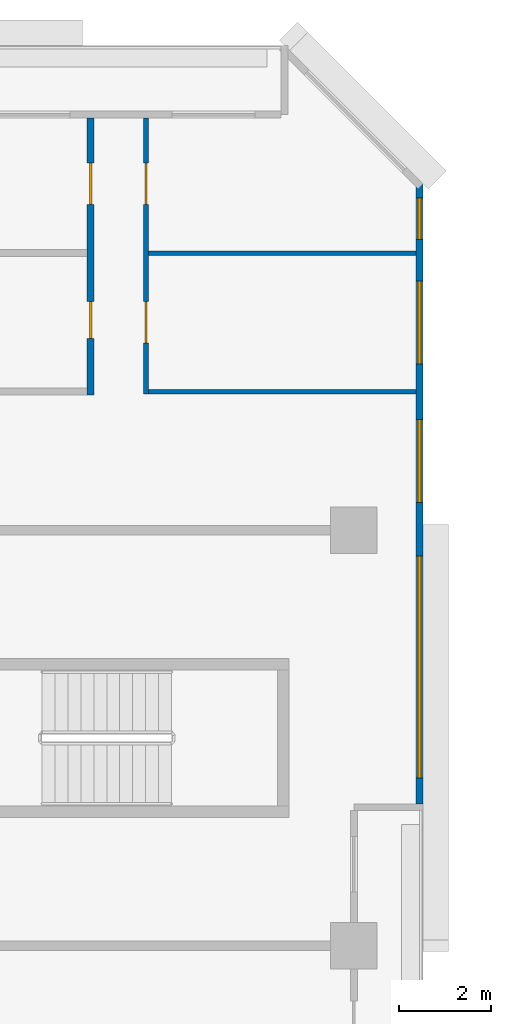
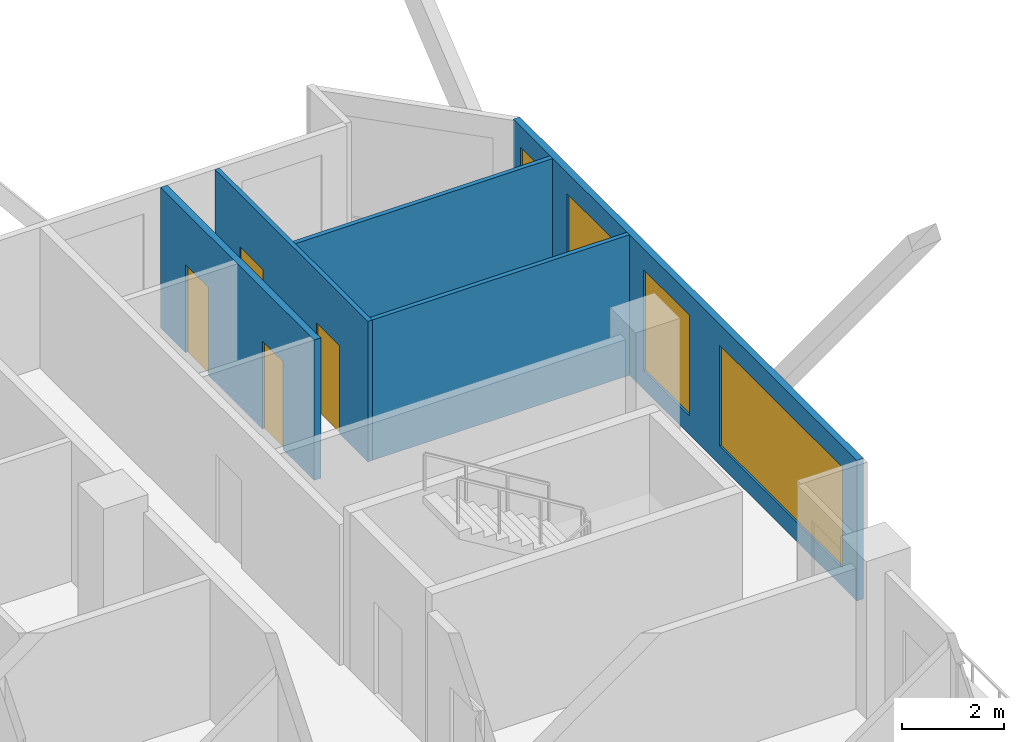
# One storey, part 11 of 15: 5 walls, 4 doors, 4 windows, 8 openings.
"""IFC4 building model written with IfcOpenShell, lengths in metres."""

import ifcopenshell
import ifcopenshell.guid

model = None  # the IFC model being written
_history = None  # IfcOwnerHistory: only IFC2X3 demands one
_inside = {}  # id of a spatial element -> (the spatial element, [elements in it])
_under = {}  # id of a project, library or spatial element -> (it, [spatial elements below it])
_declared = {}  # id of a project -> (the project, [libraries it declares])
_typed = {}  # id of a type object -> (the type object, [elements of that type])
_made_of = {}  # id of a material, layer set ... -> (it, [elements and type objects made of it])


def new_model(schema):
    """Start an empty IFC model of exactly this schema.

    Asked for "IFC4X3", IfcOpenShell would pick the latest addendum, in which some entities
    have other attributes; the version numbers below select the first issue.
    IFC2X3 requires an IfcOwnerHistory on every rooted entity: one is made here for all.
    """
    global model, _history
    if schema == "IFC4X3":
        model = ifcopenshell.file(schema_version=(4, 3, 0, 0))
    else:
        model = ifcopenshell.file(schema=schema)
    _inside.clear()
    _under.clear()
    _declared.clear()
    _typed.clear()
    _made_of.clear()
    _history = None
    if model.schema == "IFC2X3":
        org = make("IfcOrganization", Name="unknown")
        user = make(
            "IfcPersonAndOrganization",
            ThePerson=make("IfcPerson", FamilyName="unknown"),
            TheOrganization=org,
        )
        app = make(
            "IfcApplication",
            ApplicationDeveloper=org,
            Version="unknown",
            ApplicationFullName="unknown",
            ApplicationIdentifier="unknown",
        )
        _history = make(
            "IfcOwnerHistory",
            OwningUser=user,
            OwningApplication=app,
            ChangeAction="ADDED",
            CreationDate=0,
        )
    return model


def make(cls, **values):
    """One entity of the class cls with the attributes given. An attribute that is None is left unset."""
    return model.create_entity(
        cls, **{name: value for name, value in values.items() if value is not None}
    )


def rooted(cls, **values):
    """An entity with a GlobalId (a new one), such as an element, a storey or a relation."""
    return make(cls, GlobalId=ifcopenshell.guid.new(), OwnerHistory=_history, **values)


def si_unit(unit_type, name, prefix=None):
    """IfcSIUnit, for example si_unit("LENGTHUNIT", "METRE", prefix="MILLI")."""
    return make("IfcSIUnit", UnitType=unit_type, Prefix=prefix, Name=name)


def assignment(units):
    """IfcUnitAssignment: the units of a project."""
    return None if units is None else make("IfcUnitAssignment", Units=units)


def point(xyz):
    """IfcCartesianPoint."""
    return None if xyz is None else make("IfcCartesianPoint", Coordinates=xyz)


def direction(xyz):
    """IfcDirection."""
    return None if xyz is None else make("IfcDirection", DirectionRatios=xyz)


def frame(location, z_axis=None, x_axis=None):
    """IfcAxis2Placement3D, a coordinate frame: its origin and axes. An axis left out is left unset."""
    return make(
        "IfcAxis2Placement3D",
        Location=point(location),
        Axis=direction(z_axis),
        RefDirection=direction(x_axis),
    )


def frame_2d(location, x_axis=None):
    """IfcAxis2Placement2D, a coordinate frame in the plane: its origin and x axis."""
    return make(
        "IfcAxis2Placement2D", Location=point(location), RefDirection=direction(x_axis)
    )


def origin():
    """The frame at (0, 0, 0) with its axes left unset."""
    return frame((0.0, 0.0, 0.0))


def place(relative_to, where):
    """IfcLocalPlacement: puts the frame where relative to a parent placement (None: the world)."""
    return make(
        "IfcLocalPlacement", PlacementRelTo=relative_to, RelativePlacement=where
    )


def context(
    kind, dimensions, precision=None, world=None, true_north=None, identifier=None
):
    """IfcGeometricRepresentationContext, for example the 3D "Model" context."""
    return make(
        "IfcGeometricRepresentationContext",
        ContextIdentifier=identifier,
        ContextType=kind,
        CoordinateSpaceDimension=dimensions,
        Precision=precision,
        WorldCoordinateSystem=world,
        TrueNorth=true_north,
    )


def subcontext(parent, identifier, kind, view, scale=None):
    """IfcGeometricRepresentationSubContext, for example "Body" below "Model"."""
    return make(
        "IfcGeometricRepresentationSubContext",
        ContextIdentifier=identifier,
        ContextType=kind,
        ParentContext=parent,
        TargetScale=scale,
        TargetView=view,
    )


def project(units=None, contexts=None):
    """IfcProject with its units and contexts."""
    return rooted(
        "IfcProject",
        Name="project",
        RepresentationContexts=contexts,
        UnitsInContext=assignment(units),
    )


def spatial(cls, under=None, at=None, **own):
    """A site, building, storey or space (cls), placed at a placement, below another one or the project."""
    s = rooted(cls, ObjectPlacement=at, **own)
    if under is not None:
        _under.setdefault(under.id(), (under, []))[1].append(s)
    return s


def profile(cls, at=None, kind="AREA", **sizes):
    """A parametric profile (cls). Its sizes go by their IFC names, for example OverallWidth=200.0."""
    return make(cls, ProfileType=kind, Position=at, **sizes)


def rectangle(**sizes):
    """IfcRectangleProfileDef."""
    return profile("IfcRectangleProfileDef", **sizes)


def extrude(swept, where, along, depth):
    """IfcExtrudedAreaSolid: the profile swept, set in the frame where, extruded along a direction by depth."""
    return make(
        "IfcExtrudedAreaSolid",
        SweptArea=swept,
        Position=where,
        ExtrudedDirection=direction(along),
        Depth=depth,
    )


def shape(context_of_items, identifier, shape_type, items):
    """IfcShapeRepresentation: the items that make up one representation, for example the "Body"."""
    return make(
        "IfcShapeRepresentation",
        ContextOfItems=context_of_items,
        RepresentationIdentifier=identifier,
        RepresentationType=shape_type,
        Items=items,
    )


def material(Name=None, Category=None):
    """IfcMaterial."""
    return make("IfcMaterial", Name=Name, Category=Category)


def layer(
    of_material, thickness, ventilated=None, Name=None, Category=None, Priority=None
):
    """IfcMaterialLayer: one layer of a wall or slab, of a material (None: an air gap)."""
    return make(
        "IfcMaterialLayer",
        Material=of_material,
        LayerThickness=thickness,
        IsVentilated=ventilated,
        Name=Name,
        Category=Category,
        Priority=Priority,
    )


def layer_set(layers, Name=None):
    """IfcMaterialLayerSet."""
    return make("IfcMaterialLayerSet", MaterialLayers=layers, LayerSetName=Name)


def made_of(thing, what):
    """Note that an element or type object is made of a material, layer set ...; save() writes the relation."""
    if what is not None:
        _made_of.setdefault(what.id(), (what, []))[1].append(thing)
    return thing


def type_object(cls, material=None, **own):
    """A type object (cls), such as IfcWallType, which elements share."""
    return made_of(rooted(cls, **own), material)


def element(
    cls,
    number,
    at=None,
    inside=None,
    cuts=None,
    type_object=None,
    material=None,
    context=None,
    identifier="Body",
    shape_type=None,
    held_by="IfcProductDefinitionShape",
    body=None,
    shapes=None,
    **own,
):
    """One element of the class cls, such as IfcWall. Its Tag is "e" and its number.

    at: its placement. inside: the storey or other place that contains it. cuts: it is an
    opening in that element (IfcRelVoidsElement). A single representation is given by context,
    identifier, shape_type and body (its items); several are given by shapes. held_by: the class
    of the entity that holds the representations. save() writes the other relations.
    """
    e = rooted(cls, Tag="e%d" % number, ObjectPlacement=at, **own)
    if body is not None:
        shapes = [shape(context, identifier, shape_type, body)]
    if shapes is not None:
        e.Representation = make(held_by, Representations=shapes)
    if inside is not None:
        _inside.setdefault(inside.id(), (inside, []))[1].append(e)
    if cuts is not None:
        rooted(
            "IfcRelVoidsElement", RelatingBuildingElement=cuts, RelatedOpeningElement=e
        )
    if type_object is not None:
        _typed.setdefault(type_object.id(), (type_object, []))[1].append(e)
    return made_of(e, material)


def fill(opening, filler):
    """IfcRelFillsElement: the door or window that sits in an opening."""
    return rooted(
        "IfcRelFillsElement",
        RelatingOpeningElement=opening,
        RelatedBuildingElement=filler,
    )


def aggregate(whole, parts):
    """IfcRelAggregates: a whole, such as a stair, and the parts it consists of."""
    return rooted("IfcRelAggregates", RelatingObject=whole, RelatedObjects=parts)


def save(model, path):
    """Write the relations noted so far, then the file.

    IfcRelAggregates (storeys below a building ...), IfcRelContainedInSpatialStructure (elements
    in a storey), IfcRelDefinesByType, IfcRelAssociatesMaterial and IfcRelDeclares: one each for
    every whole, place, type object, material and project.
    """
    for whole, parts in _under.values():
        aggregate(whole, parts)
    for where, things in _inside.values():
        rooted(
            "IfcRelContainedInSpatialStructure",
            RelatedElements=things,
            RelatingStructure=where,
        )
    for kind, things in _typed.values():
        rooted("IfcRelDefinesByType", RelatedObjects=things, RelatingType=kind)
    for what, things in _made_of.values():
        rooted("IfcRelAssociatesMaterial", RelatedObjects=things, RelatingMaterial=what)
    for by, libraries in _declared.values():
        rooted("IfcRelDeclares", RelatingContext=by, RelatedDefinitions=libraries)
    model.write(path)


model = new_model("IFC4")

# Units and contexts
model_context = context("Model", 3, precision=1e-05, world=origin(), true_north=direction((0.0, 1.0)))
body_context = subcontext(model_context, "Body", "Model", "MODEL_VIEW")
ifc_project = project(units=[si_unit("LENGTHUNIT", "METRE"), si_unit("AREAUNIT", "SQUARE_METRE"), si_unit("VOLUMEUNIT", "CUBIC_METRE"), si_unit("PLANEANGLEUNIT", "RADIAN"), si_unit("MASSUNIT", "GRAM", prefix="KILO")], contexts=[model_context])

# Site, building, storey
site_placement = place(None, origin())
site = spatial("IfcSite", under=ifc_project, at=site_placement, CompositionType="ELEMENT")
building_placement = place(site_placement, origin())
building = spatial("IfcBuilding", under=site, at=building_placement, Name="Chenar Terraces", CompositionType="ELEMENT")
storey_placement = place(building_placement, frame((0.0, 0.0, 129.39990234375)))
storey = spatial("IfcBuildingStorey", under=building, at=storey_placement, Name="L30", CompositionType="ELEMENT", Elevation=129.39990234375)

# Wall, openings, windows
ifc_material_1 = material(Name="Aluminium framed glazing", Category="aluminium")
ifc_layer_1 = layer(ifc_material_1, 0.14990234375)
ifc_layer_set_1 = layer_set([ifc_layer_1], Name="Aluminium framed glazing")
wall_type_1 = type_object("IfcWallType", Name="Glazed flush facade wall 150", PredefinedType="SOLIDWALL", material=ifc_layer_set_1)
wall_1_placement = place(storey_placement, frame((25.425048828125, 48.074951171875, 0.0), z_axis=(0.0, 0.0, 1.0), x_axis=(0.0, 1.0, 0.0)))
wall_1 = element("IfcWall", 1, at=wall_1_placement, inside=storey, type_object=wall_type_1, Name="Glazed flush facade wall", PredefinedType="SOLIDWALL", context=body_context, shape_type="SweptSolid", body=[
    extrude(rectangle(XDim=13.425048828125, YDim=0.14990234375, at=frame_2d((6.71240234375, 0.0))), origin(), (0.0, 0.0, 1.0), 3.35009765625),
])
opening_1_placement = place(wall_1_placement, frame((0.5625, 0.0, 0.449951171875)))
opening_1 = element("IfcOpeningElement", 2, at=opening_1_placement, cuts=wall_1, Name="Opening W480x240", PredefinedType="OPENING", context=body_context, shape_type="SweptSolid", body=[
    extrude(rectangle(XDim=4.800048828125, YDim=2.39990234375, at=frame_2d((2.39990234375, 1.199951171875))), frame((0.0, 0.0849609375, 0.0), z_axis=(0.0, -1.0, 0.0), x_axis=(1.0, 0.0, 0.0)), (0.0, 0.0, 1.0), 0.169921875),
])
opening_2_placement = place(wall_1_placement, frame((6.52490234375, 0.0, 0.449951171875)))
opening_2 = element("IfcOpeningElement", 3, at=opening_2_placement, cuts=wall_1, Name="Opening W180x240", PredefinedType="OPENING", context=body_context, shape_type="SweptSolid", body=[
    extrude(rectangle(XDim=1.800048828125, YDim=2.39990234375, at=frame_2d((0.89990234375, 1.199951171875))), frame((0.0, 0.0849609375, 0.0), z_axis=(0.0, -1.0, 0.0), x_axis=(1.0, 0.0, 0.0)), (0.0, 0.0, 1.0), 0.169921875),
])
opening_3_placement = place(wall_1_placement, frame((9.52490234375, 0.0, 0.449951171875)))
opening_3 = element("IfcOpeningElement", 4, at=opening_3_placement, cuts=wall_1, Name="Opening W180x240", PredefinedType="OPENING", context=body_context, shape_type="SweptSolid", body=[
    extrude(rectangle(XDim=1.800048828125, YDim=2.39990234375, at=frame_2d((0.89990234375, 1.199951171875))), frame((0.0, 0.0849609375, 0.0), z_axis=(0.0, -1.0, 0.0), x_axis=(1.0, 0.0, 0.0)), (0.0, 0.0, 1.0), 0.169921875),
])
opening_4_placement = place(wall_1_placement, frame((12.22509765625, 0.0, 0.449951171875)))
opening_4 = element("IfcOpeningElement", 5, at=opening_4_placement, cuts=wall_1, Name="Opening W90x240", PredefinedType="OPENING", context=body_context, shape_type="SweptSolid", body=[
    extrude(rectangle(XDim=0.89990234375, YDim=2.39990234375, at=frame_2d((0.449951171875, 1.199951171875))), frame((0.0, 0.0849609375, 0.0), z_axis=(0.0, -1.0, 0.0), x_axis=(1.0, 0.0, 0.0)), (0.0, 0.0, 1.0), 0.169921875),
])
ifc_material_2 = material(Name="Low emissivity double glazing, aluminium frame", Category="aluminium")
window_type_1 = type_object("IfcWindowType", Name="Fixed light 1800 x 2400", PartitioningType="SINGLE_PANEL", PredefinedType="WINDOW", material=ifc_material_2)
window_1_placement = place(opening_2_placement, origin())
window_1 = element("IfcWindow", 6, at=window_1_placement, inside=storey, type_object=window_type_1, Name="Window", OverallHeight=2.39990234375, OverallWidth=1.800048828125, PartitioningType="SINGLE_PANEL", PredefinedType="WINDOW", context=body_context, shape_type="SweptSolid", body=[
    extrude(rectangle(XDim=1.800048828125, YDim=2.39990234375, at=frame_2d((0.89990234375, 1.199951171875))), frame((0.0, 0.030029296875, 0.0), z_axis=(0.0, -1.0, 0.0), x_axis=(1.0, 0.0, 0.0)), (0.0, 0.0, 1.0), 0.06005859375),
])
fill(opening_2, window_1)
window_2_placement = place(opening_3_placement, origin())
window_2 = element("IfcWindow", 7, at=window_2_placement, inside=storey, type_object=window_type_1, Name="Window", OverallHeight=2.39990234375, OverallWidth=1.800048828125, PartitioningType="SINGLE_PANEL", PredefinedType="WINDOW", context=body_context, shape_type="SweptSolid", body=[
    extrude(rectangle(XDim=1.800048828125, YDim=2.39990234375, at=frame_2d((0.89990234375, 1.199951171875))), frame((0.0, 0.030029296875, 0.0), z_axis=(0.0, -1.0, 0.0), x_axis=(1.0, 0.0, 0.0)), (0.0, 0.0, 1.0), 0.06005859375),
])
fill(opening_3, window_2)
ifc_material_3 = material(Name="Low emissivity double glazing, aluminium frame", Category="aluminium")
window_type_2 = type_object("IfcWindowType", Name="Fixed light 4800 x 2400", PartitioningType="SINGLE_PANEL", PredefinedType="WINDOW", material=ifc_material_3)
window_3_placement = place(opening_1_placement, origin())
window_3 = element("IfcWindow", 8, at=window_3_placement, inside=storey, type_object=window_type_2, Name="Window", OverallHeight=2.39990234375, OverallWidth=4.800048828125, PartitioningType="SINGLE_PANEL", PredefinedType="WINDOW", context=body_context, shape_type="SweptSolid", body=[
    extrude(rectangle(XDim=4.800048828125, YDim=2.39990234375, at=frame_2d((2.39990234375, 1.199951171875))), frame((0.0, 0.030029296875, 0.0), z_axis=(0.0, -1.0, 0.0), x_axis=(1.0, 0.0, 0.0)), (0.0, 0.0, 1.0), 0.06005859375),
])
fill(opening_1, window_3)
ifc_material_4 = material(Name="Low emissivity double glazing, aluminium frame", Category="aluminium")
window_type_3 = type_object("IfcWindowType", Name="Fixed light 900 x 2400", PartitioningType="SINGLE_PANEL", PredefinedType="WINDOW", material=ifc_material_4)
window_4_placement = place(opening_4_placement, origin())
window_4 = element("IfcWindow", 9, at=window_4_placement, inside=storey, type_object=window_type_3, Name="Window", OverallHeight=2.39990234375, OverallWidth=0.89990234375, PartitioningType="SINGLE_PANEL", PredefinedType="WINDOW", context=body_context, shape_type="SweptSolid", body=[
    extrude(rectangle(XDim=0.89990234375, YDim=2.39990234375, at=frame_2d((0.449951171875, 1.199951171875))), frame((0.0, 0.030029296875, 0.0), z_axis=(0.0, -1.0, 0.0), x_axis=(1.0, 0.0, 0.0)), (0.0, 0.0, 1.0), 0.06005859375),
])
fill(opening_4, window_4)

# Wall, openings, doors
ifc_material_5 = material(Name="Gypsum board on steel studs", Category="steel")
ifc_layer_2 = layer(ifc_material_5, 0.10009765625)
ifc_layer_set_2 = layer_set([ifc_layer_2], Name="Gypsum board on steel studs")
wall_type_2 = type_object("IfcWallType", Name="Gypsum partition 100", PredefinedType="PARTITIONING", material=ifc_layer_set_2)
wall_2_placement = place(storey_placement, frame((19.5, 56.949951171875, 0.0), z_axis=(0.0, 0.0, 1.0), x_axis=(0.0, 1.0, 0.0)))
wall_2 = element("IfcWall", 10, at=wall_2_placement, inside=storey, type_object=wall_type_2, Name="Partition L30-051", PredefinedType="PARTITIONING", context=body_context, shape_type="SweptSolid", body=[
    extrude(rectangle(XDim=5.97607421875, YDim=0.10009765625, at=frame_2d((2.988037109375, 0.0))), origin(), (0.0, 0.0, 1.0), 3.35009765625),
])
opening_5_placement = place(wall_2_placement, frame((1.10009765625, 0.0, 0.0)))
opening_5 = element("IfcOpeningElement", 11, at=opening_5_placement, cuts=wall_2, Name="Opening DL30-34", PredefinedType="OPENING", context=body_context, shape_type="SweptSolid", body=[
    extrude(rectangle(XDim=0.89990234375, YDim=2.10009765625, at=frame_2d((0.449951171875, 1.050048828125))), frame((0.0, 0.06005859375, 0.0), z_axis=(0.0, -1.0, 0.0), x_axis=(1.0, 0.0, 0.0)), (0.0, 0.0, 1.0), 0.1201171875),
])
opening_6_placement = place(wall_2_placement, frame((4.10009765625, 0.0, 0.0)))
opening_6 = element("IfcOpeningElement", 12, at=opening_6_placement, cuts=wall_2, Name="Opening DL30-35", PredefinedType="OPENING", context=body_context, shape_type="SweptSolid", body=[
    extrude(rectangle(XDim=0.89990234375, YDim=2.10009765625, at=frame_2d((0.449951171875, 1.050048828125))), frame((0.0, 0.06005859375, 0.0), z_axis=(0.0, -1.0, 0.0), x_axis=(1.0, 0.0, 0.0)), (0.0, 0.0, 1.0), 0.1201171875),
])
ifc_material_6 = material(Name="Veneered timber door leaf", Category="wood")
door_type_1 = type_object("IfcDoorType", Name="Door 900 x 2100", OperationType="SINGLE_SWING_LEFT", PredefinedType="DOOR", material=ifc_material_6)
door_1_placement = place(opening_5_placement, frame((0.89990234375, 0.0, 0.0), z_axis=(0.0, 0.0, 1.0), x_axis=(-1.0, 0.0, 0.0)))
door_1 = element("IfcDoor", 13, at=door_1_placement, inside=storey, type_object=door_type_1, Name="Door DL30-34", OperationType="SINGLE_SWING_RIGHT", OverallHeight=2.10009765625, OverallWidth=0.89990234375, PredefinedType="DOOR", context=body_context, shape_type="SweptSolid", body=[
    extrude(rectangle(XDim=0.89990234375, YDim=2.10009765625, at=frame_2d((0.449951171875, 1.050048828125))), frame((0.0, 0.02490234375, 0.0), z_axis=(0.0, -1.0, 0.0), x_axis=(1.0, 0.0, 0.0)), (0.0, 0.0, 1.0), 0.050048828125),
])
fill(opening_5, door_1)
door_2_placement = place(opening_6_placement, frame((0.89990234375, 0.0, 0.0), z_axis=(0.0, 0.0, 1.0), x_axis=(-1.0, 0.0, 0.0)))
door_2 = element("IfcDoor", 14, at=door_2_placement, inside=storey, type_object=door_type_1, Name="Door DL30-35", OperationType="SINGLE_SWING_RIGHT", OverallHeight=2.10009765625, OverallWidth=0.89990234375, PredefinedType="DOOR", context=body_context, shape_type="SweptSolid", body=[
    extrude(rectangle(XDim=0.89990234375, YDim=2.10009765625, at=frame_2d((0.449951171875, 1.050048828125))), frame((0.0, 0.02490234375, 0.0), z_axis=(0.0, -1.0, 0.0), x_axis=(1.0, 0.0, 0.0)), (0.0, 0.0, 1.0), 0.050048828125),
])
fill(opening_6, door_2)

# Walls
wall_3_placement = place(storey_placement, frame((19.550048828125, 57.0, 0.0), z_axis=(0.0, 0.0, 1.0), x_axis=(1.0, 0.0, 0.0)))
element("IfcWall", 15, at=wall_3_placement, inside=storey, type_object=wall_type_2, Name="Partition L30-052", PredefinedType="PARTITIONING", context=body_context, shape_type="SweptSolid", body=[
    extrude(rectangle(XDim=5.800048828125, YDim=0.10009765625, at=frame_2d((2.89990234375, 0.0))), origin(), (0.0, 0.0, 1.0), 3.35009765625),
])
wall_4_placement = place(storey_placement, frame((19.550048828125, 60.0, 0.0), z_axis=(0.0, 0.0, 1.0), x_axis=(1.0, 0.0, 0.0)))
element("IfcWall", 16, at=wall_4_placement, inside=storey, type_object=wall_type_2, Name="Partition L30-053", PredefinedType="PARTITIONING", context=body_context, shape_type="SweptSolid", body=[
    extrude(rectangle(XDim=5.801025390625, YDim=0.10009765625, at=frame_2d((2.900390625, 0.0))), origin(), (0.0, 0.0, 1.0), 3.35009765625),
])

# Wall, openings, doors
ifc_material_7 = material(Name="Moisture-resistant gypsum board on steel studs", Category="steel")
ifc_layer_3 = layer(ifc_material_7, 0.14990234375)
ifc_layer_set_3 = layer_set([ifc_layer_3], Name="Moisture-resistant gypsum board on steel studs")
wall_type_3 = type_object("IfcWallType", Name="Wet-room partition 150", PredefinedType="PARTITIONING", material=ifc_layer_set_3)
wall_5_placement = place(storey_placement, frame((18.300048828125, 56.925048828125, 0.0), z_axis=(0.0, 0.0, 1.0), x_axis=(0.0, 1.0, 0.0)))
wall_5 = element("IfcWall", 17, at=wall_5_placement, inside=storey, type_object=wall_type_3, Name="Partition L30-049", PredefinedType="PARTITIONING", context=body_context, shape_type="SweptSolid", body=[
    extrude(rectangle(XDim=6.0009765625, YDim=0.14990234375, at=frame_2d((3.00048828125, 0.0))), origin(), (0.0, 0.0, 1.0), 3.35009765625),
])
opening_7_placement = place(wall_5_placement, frame((1.22509765625, 0.0, 0.0)))
opening_7 = element("IfcOpeningElement", 18, at=opening_7_placement, cuts=wall_5, Name="Opening DL30-33", PredefinedType="OPENING", context=body_context, shape_type="SweptSolid", body=[
    extrude(rectangle(XDim=0.800048828125, YDim=2.10009765625, at=frame_2d((0.39990234375, 1.050048828125))), frame((0.0, 0.0849609375, 0.0), z_axis=(0.0, -1.0, 0.0), x_axis=(1.0, 0.0, 0.0)), (0.0, 0.0, 1.0), 0.169921875),
])
opening_8_placement = place(wall_5_placement, frame((4.125, 0.0, 0.0)))
opening_8 = element("IfcOpeningElement", 19, at=opening_8_placement, cuts=wall_5, Name="Opening DL30-36", PredefinedType="OPENING", context=body_context, shape_type="SweptSolid", body=[
    extrude(rectangle(XDim=0.89990234375, YDim=2.10009765625, at=frame_2d((0.449951171875, 1.050048828125))), frame((0.0, 0.0849609375, 0.0), z_axis=(0.0, -1.0, 0.0), x_axis=(1.0, 0.0, 0.0)), (0.0, 0.0, 1.0), 0.169921875),
])
ifc_material_8 = material(Name="Veneered timber door leaf", Category="wood")
door_type_2 = type_object("IfcDoorType", Name="Door 800 x 2100", OperationType="SINGLE_SWING_LEFT", PredefinedType="DOOR", material=ifc_material_8)
door_3_placement = place(opening_7_placement, origin())
door_3 = element("IfcDoor", 20, at=door_3_placement, inside=storey, type_object=door_type_2, Name="Door DL30-33", OperationType="SINGLE_SWING_RIGHT", OverallHeight=2.10009765625, OverallWidth=0.800048828125, PredefinedType="DOOR", context=body_context, shape_type="SweptSolid", body=[
    extrude(rectangle(XDim=0.800048828125, YDim=2.10009765625, at=frame_2d((0.39990234375, 1.050048828125))), frame((0.0, 0.02490234375, 0.0), z_axis=(0.0, -1.0, 0.0), x_axis=(1.0, 0.0, 0.0)), (0.0, 0.0, 1.0), 0.050048828125),
])
fill(opening_7, door_3)
door_4_placement = place(opening_8_placement, origin())
door_4 = element("IfcDoor", 21, at=door_4_placement, inside=storey, type_object=door_type_1, Name="Door DL30-36", OperationType="SINGLE_SWING_LEFT", OverallHeight=2.10009765625, OverallWidth=0.89990234375, PredefinedType="DOOR", context=body_context, shape_type="SweptSolid", body=[
    extrude(rectangle(XDim=0.89990234375, YDim=2.10009765625, at=frame_2d((0.449951171875, 1.050048828125))), frame((0.0, 0.02490234375, 0.0), z_axis=(0.0, -1.0, 0.0), x_axis=(1.0, 0.0, 0.0)), (0.0, 0.0, 1.0), 0.050048828125),
])
fill(opening_8, door_4)

save(model, "model.ifc")
